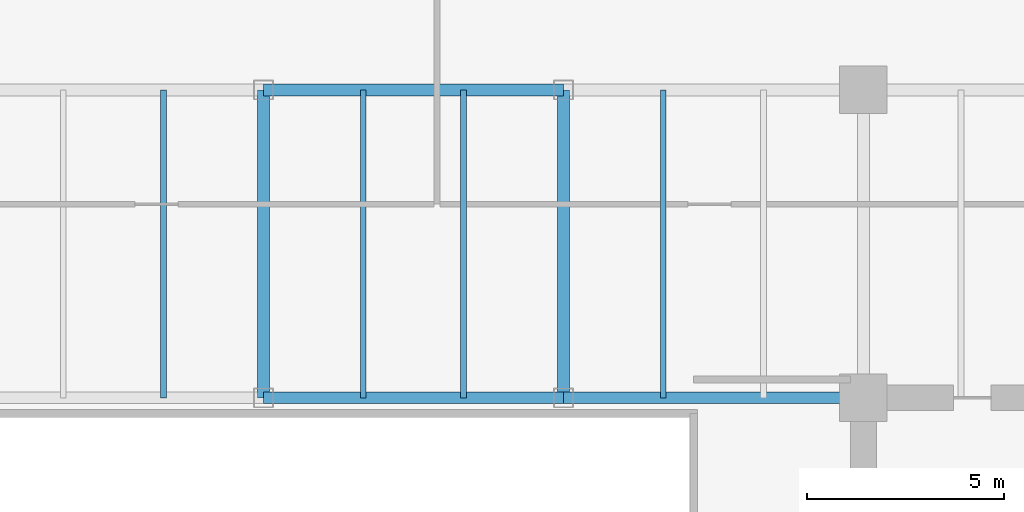
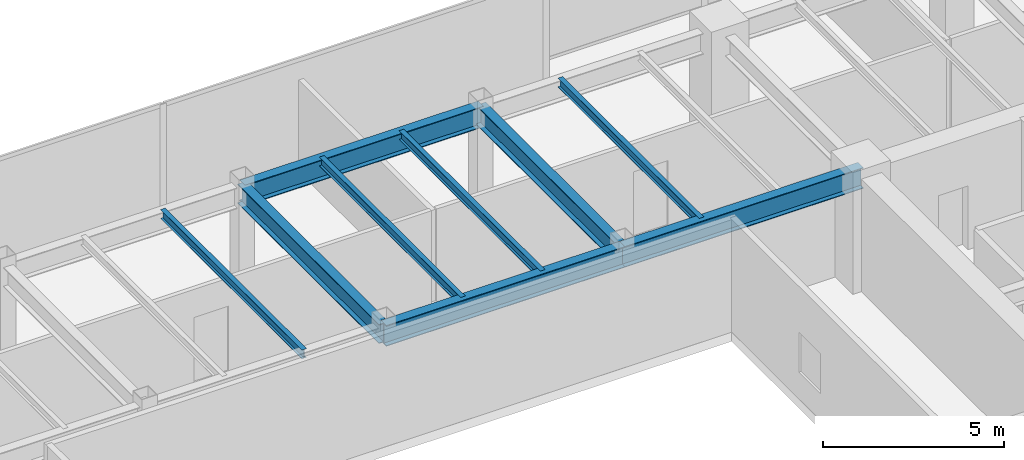
# One storey, part 15 of 30: 9 beams.
"""IFC4 building model written with IfcOpenShell, lengths in metres."""

from ifc_helpers import new_model, si_unit, direction, frame, origin, origin_2d, place, context, subcontext, project, spatial, i_section, extrude, source, transform, mapped, material, material_profile, profile_set, type_object, type_shapes, element, save


model = new_model("IFC4")

# Units and contexts
model_context = context("Model", 3, precision=1e-05, world=origin(), true_north=direction((0.0, 1.0)))
body_context = subcontext(model_context, "Body", "Model", "MODEL_VIEW")
ifc_project = project(units=[si_unit("LENGTHUNIT", "METRE"), si_unit("AREAUNIT", "SQUARE_METRE"), si_unit("VOLUMEUNIT", "CUBIC_METRE"), si_unit("PLANEANGLEUNIT", "RADIAN"), si_unit("MASSUNIT", "GRAM", prefix="KILO")], contexts=[model_context])

# Site, building, storey
site_placement = place(None, origin())
site = spatial("IfcSite", under=ifc_project, at=site_placement, CompositionType="ELEMENT")
building_placement = place(site_placement, origin())
building = spatial("IfcBuilding", under=site, at=building_placement, Name="Haelvirn Gate Laboratories", CompositionType="ELEMENT")
storey_placement = place(building_placement, frame((0.0, 0.0, 113.300048828125)))
storey = spatial("IfcBuildingStorey", under=building, at=storey_placement, Name="L27", CompositionType="ELEMENT", Elevation=113.300048828125)

# Beams
ifc_material = material(Name="Steel SM355", Category="steel")
ifc_material_profile_1 = material_profile(ifc_material, i_section(OverallWidth=0.300048828125, OverallDepth=0.64990234375, WebThickness=0.012939453125, FlangeThickness=0.02197265625, at=origin_2d()), Name="H-650x300x13x22")
ifc_profile_set_1 = profile_set([ifc_material_profile_1], Name="Steel SM355")
beam_type_1 = type_object("IfcBeamType", Name="BM-G-650", PredefinedType="BEAM", material=ifc_profile_set_1)
shared_shape_1 = source(origin(), body_context, "Body", "SweptSolid", [
    extrude(i_section(OverallWidth=0.300048828125, OverallDepth=0.64990234375, WebThickness=0.012939453125, FlangeThickness=0.02197265625, at=origin_2d()), origin(), (0.0, 0.0, 1.0), 7.800048828125),
])
type_shapes(beam_type_1, [shared_shape_1])
for number, where, z_axis, x_axis, name in (
    (1, (37.39990234375, 33.800048828125, 3.46484375), (0.0, 1.0, 0.0), (-1.0, 0.0, 0.0), "L27 Frame Girder X37.4 (33.8-41.6)"),
    (2, (45.0, 33.800048828125, 3.46484375), (0.0, 1.0, 0.0), (-1.0, 0.0, 0.0), "L27 Frame Girder X45.0 (33.8-41.6)"),
):
    element("IfcBeam", number, at=place(storey_placement, frame(where, z_axis=z_axis, x_axis=x_axis)), inside=storey, type_object=beam_type_1, Name=name, PredefinedType="BEAM", context=body_context, shape_type="MappedRepresentation", body=[
        mapped(shared_shape_1, transform((0.0, 0.0, 0.0), scale=1.0)),
    ])
ifc_material_profile_2 = material_profile(ifc_material, i_section(OverallWidth=0.300048828125, OverallDepth=0.699951171875, WebThickness=0.012939453125, FlangeThickness=0.02392578125, at=origin_2d()), Name="H-700x300x13x24")
ifc_profile_set_2 = profile_set([ifc_material_profile_2], Name="Steel SM355")
beam_type_2 = type_object("IfcBeamType", Name="BM-G-700", PredefinedType="BEAM", material=ifc_profile_set_2)
shared_shape_2 = source(origin(), body_context, "Body", "SweptSolid", [
    extrude(i_section(OverallWidth=0.300048828125, OverallDepth=0.699951171875, WebThickness=0.012939453125, FlangeThickness=0.02392578125, at=origin_2d()), origin(), (0.0, 0.0, 1.0), 7.60009765625),
])
type_shapes(beam_type_2, [shared_shape_2])
for number, where, z_axis, x_axis, name in (
    (3, (37.39990234375, 33.800048828125, 3.43994140625), (1.0, 0.0, 0.0), (0.0, 1.0, 0.0), "L27 Primary Girder Y33.8 (37.4-45.0)"),
    (4, (45.0, 33.800048828125, 3.43994140625), (1.0, 0.0, 0.0), (0.0, 1.0, 0.0), "L27 Primary Girder Y33.8 (45.0-52.6)"),
    (5, (37.39990234375, 41.60009765625, 3.43994140625), (1.0, 0.0, 0.0), (0.0, 1.0, 0.0), "L27 Primary Girder Y41.6 (37.4-45.0)"),
):
    element("IfcBeam", number, at=place(storey_placement, frame(where, z_axis=z_axis, x_axis=x_axis)), inside=storey, type_object=beam_type_2, Name=name, PredefinedType="BEAM", context=body_context, shape_type="MappedRepresentation", body=[
        mapped(shared_shape_2, transform((0.0, 0.0, 0.0), scale=1.0)),
    ])
ifc_material_profile_3 = material_profile(ifc_material, i_section(OverallWidth=0.14990234375, OverallDepth=0.300048828125, WebThickness=0.006591796875, FlangeThickness=0.009033203125, at=origin_2d()), Name="H-300x150x6.5x9")
ifc_profile_set_3 = profile_set([ifc_material_profile_3], Name="Steel SM355")
beam_type_3 = type_object("IfcBeamType", Name="BM-J-300", PredefinedType="JOIST", material=ifc_profile_set_3)
shared_shape_3 = source(origin(), body_context, "Body", "SweptSolid", [
    extrude(i_section(OverallWidth=0.14990234375, OverallDepth=0.300048828125, WebThickness=0.006591796875, FlangeThickness=0.009033203125, at=origin_2d()), origin(), (0.0, 0.0, 1.0), 7.800048828125),
])
type_shapes(beam_type_3, [shared_shape_3])
for number, where, z_axis, x_axis, name in (
    (6, (34.8701171875, 33.800048828125, 3.639892578125), (0.0, 1.0, 0.0), (-1.0, 0.0, 0.0), "L27 Composite Lab Joist North X34.87"),
    (7, (39.929931640625, 33.800048828125, 3.639892578125), (0.0, 1.0, 0.0), (-1.0, 0.0, 0.0), "L27 Composite Lab Joist North X39.93"),
    (8, (42.469970703125, 33.800048828125, 3.639892578125), (0.0, 1.0, 0.0), (-1.0, 0.0, 0.0), "L27 Composite Lab Joist North X42.47"),
    (9, (47.530029296875, 33.800048828125, 3.639892578125), (0.0, 1.0, 0.0), (-1.0, 0.0, 0.0), "L27 Composite Lab Joist North X47.53"),
):
    element("IfcBeam", number, at=place(storey_placement, frame(where, z_axis=z_axis, x_axis=x_axis)), inside=storey, type_object=beam_type_3, Name=name, PredefinedType="JOIST", context=body_context, shape_type="MappedRepresentation", body=[
        mapped(shared_shape_3, transform((0.0, 0.0, 0.0), scale=1.0)),
    ])

save(model, "model.ifc")
